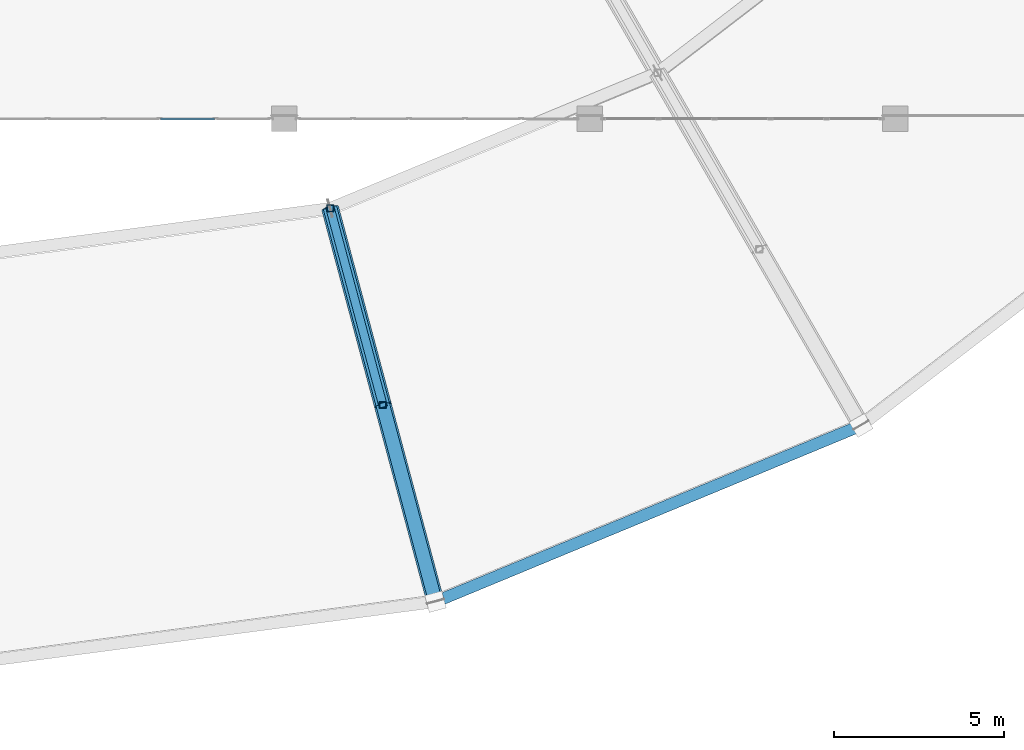
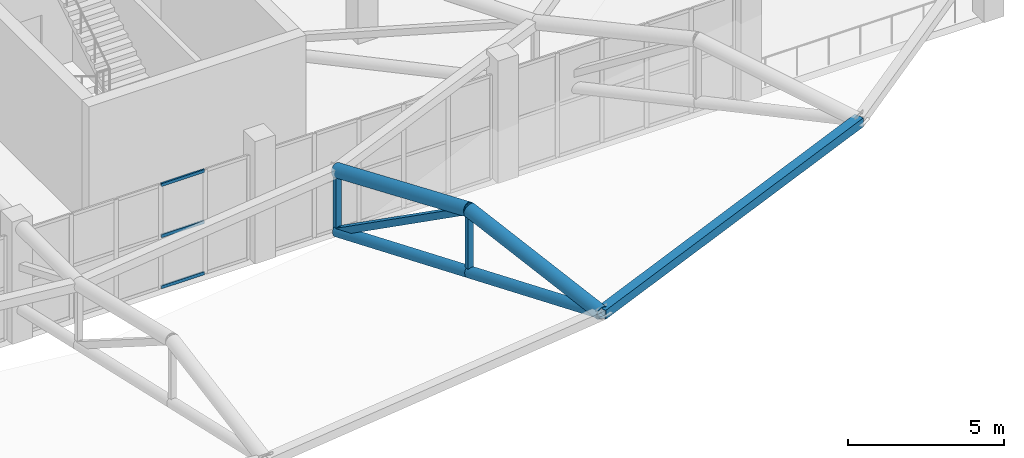
# One storey, part 31 of 167: 11 members, 1 element without a shape of its own.
"""IFC4 building model written with IfcOpenShell, lengths in metres."""

from ifc_helpers import new_model, si_unit, direction, frame, origin, origin_2d, place, context, subcontext, project, spatial, hollow_rectangle, hollow_circle, extrude, material, layer, layer_set, material_profile, profile_set, type_object, element, aggregate, save


model = new_model("IFC4")

# Units and contexts
model_context = context("Model", 3, precision=1e-05, world=origin(), true_north=direction((0.0, 1.0)))
body_context = subcontext(model_context, "Body", "Model", "MODEL_VIEW")
ifc_project = project(units=[si_unit("LENGTHUNIT", "METRE"), si_unit("AREAUNIT", "SQUARE_METRE"), si_unit("VOLUMEUNIT", "CUBIC_METRE"), si_unit("PLANEANGLEUNIT", "RADIAN"), si_unit("MASSUNIT", "GRAM", prefix="KILO")], contexts=[model_context])

# Site, building, storey
site_placement = place(None, origin())
site = spatial("IfcSite", under=ifc_project, at=site_placement, CompositionType="ELEMENT")
building_placement = place(site_placement, origin())
building = spatial("IfcBuilding", under=site, at=building_placement, Name="Dornveld Trade and Exhibition Forum", CompositionType="ELEMENT")
storey_placement = place(building_placement, frame((0.0, 0.0, 16.800048828125)))
storey = spatial("IfcBuildingStorey", under=building, at=storey_placement, Name="L03", CompositionType="ELEMENT", Elevation=16.800048828125)

# Curtain wall, members
ifc_material_1 = material(Name="Dark-bronze anodised aluminium and low-E glass", Category="aluminium")
ifc_layer = layer(ifc_material_1, 0.14501953125)
ifc_layer_set = layer_set([ifc_layer], Name="Dark-bronze anodised aluminium and low-E glass")
curtain_wall_type = type_object("IfcCurtainWallType", Name="CW-SYS-01", PredefinedType="USERDEFINED", material=ifc_layer_set)
curtain_wall_placement = place(storey_placement, origin())
curtain_wall = element("IfcCurtainWall", 1, at=curtain_wall_placement, inside=storey, type_object=curtain_wall_type, Name="L03 unitised curtain wall 55", ObjectType="UNITISED_CURTAIN_WALL", PredefinedType="USERDEFINED")
ifc_material_2 = material(Name="Dark-bronze anodised aluminium", Category="aluminium")
ifc_material_profile_1 = material_profile(ifc_material_2, hollow_rectangle(XDim=0.06005859375, YDim=0.1201171875, WallThickness=0.00390625, at=origin_2d()), Name="RHS 120x60x4")
ifc_profile_set_1 = profile_set([ifc_material_profile_1], Name="Dark-bronze anodised aluminium")
member_type_1 = type_object("IfcMemberType", Name="CW-TRN-120", PredefinedType="USERDEFINED", material=ifc_profile_set_1)
member_1_placement = place(storey_placement, frame((122.355712890625, 45.0, 0.02587890625), z_axis=(1.0, 0.0, 0.0), x_axis=(0.0, 1.0, 0.0)))
member_1 = element("IfcMember", 2, at=member_1_placement, type_object=member_type_1, Name="CW-01 transom 4.1", ObjectType="TRANSOM", PredefinedType="USERDEFINED", context=body_context, shape_type="SweptSolid", body=[
    extrude(hollow_rectangle(XDim=0.06005859375, YDim=0.1201171875, WallThickness=0.00390625, at=origin_2d()), origin(), (0.0, 0.0, 1.0), 1.591796875),
])
member_2_placement = place(storey_placement, frame((122.355712890625, 45.0, 2.02783203125), z_axis=(1.0, 0.0, 0.0), x_axis=(0.0, 1.0, 0.0)))
member_2 = element("IfcMember", 3, at=member_2_placement, type_object=member_type_1, Name="CW-01 transom 4.2", ObjectType="TRANSOM", PredefinedType="USERDEFINED", context=body_context, shape_type="SweptSolid", body=[
    extrude(hollow_rectangle(XDim=0.06005859375, YDim=0.1201171875, WallThickness=0.00390625, at=origin_2d()), origin(), (0.0, 0.0, 1.0), 1.591796875),
])
member_3_placement = place(storey_placement, frame((122.355712890625, 45.0, 4.030029296875), z_axis=(1.0, 0.0, 0.0), x_axis=(0.0, 1.0, 0.0)))
member_3 = element("IfcMember", 4, at=member_3_placement, type_object=member_type_1, Name="CW-01 transom 4.3", ObjectType="TRANSOM", PredefinedType="USERDEFINED", context=body_context, shape_type="SweptSolid", body=[
    extrude(hollow_rectangle(XDim=0.06005859375, YDim=0.1201171875, WallThickness=0.00390625, at=origin_2d()), origin(), (0.0, 0.0, 1.0), 1.591796875),
])
aggregate(curtain_wall, [member_1, member_2, member_3])

# Members
ifc_material_3 = material(Name="Steel S355J2", Category="steel")
ifc_material_profile_2 = material_profile(ifc_material_3, hollow_circle(Radius=0.203125, WallThickness=0.02001953125, at=origin_2d()), Name="CHS 406.4x20")
ifc_profile_set_2 = profile_set([ifc_material_profile_2], Name="Steel S355J2")
member_type_2 = type_object("IfcMemberType", Name="MEM-DISC-BC", PredefinedType="CHORD", material=ifc_profile_set_2)
member_4_placement = place(storey_placement, frame((127.352783203125, 42.363037109375, 2.07568359375), z_axis=(0.252403210265, -0.941958781399, 0.221373606362), x_axis=(0.965924258502, 0.258824896092, 0.0)))
element("IfcMember", 5, at=member_4_placement, inside=storey, type_object=member_type_2, Name="Roof disc radial R20 conical bottom chord 3", PredefinedType="CHORD", context=body_context, shape_type="SweptSolid", body=[
    extrude(hollow_circle(Radius=0.203125, WallThickness=0.02001953125, at=origin_2d()), origin(), (0.0, 0.0, 1.0), 6.15283203125),
])
member_5_placement = place(storey_placement, frame((128.90576171875, 36.5673828125, 3.437744140625), z_axis=(0.25237327368, -0.941955467078, 0.221421834455), x_axis=(0.96593170523, 0.2587971036, 0.0)))
element("IfcMember", 6, at=member_5_placement, inside=storey, type_object=member_type_2, Name="Roof disc radial R20 conical bottom chord 4", PredefinedType="CHORD", context=body_context, shape_type="SweptSolid", body=[
    extrude(hollow_circle(Radius=0.203125, WallThickness=0.02001953125, at=origin_2d()), origin(), (0.0, 0.0, 1.0), 6.152587890625),
])
ifc_material_4 = material(Name="Steel S355J2", Category="steel")
ifc_material_profile_3 = material_profile(ifc_material_4, hollow_rectangle(XDim=0.35009765625, YDim=0.35009765625, WallThickness=0.01611328125, at=origin_2d()), Name="SHS 350x350x16")
ifc_profile_set_3 = profile_set([ifc_material_profile_3], Name="Steel S355J2")
member_type_3 = type_object("IfcMemberType", Name="MEM-DISC-RING", PredefinedType="CHORD", material=ifc_profile_set_3)
member_6_placement = place(storey_placement, frame((130.45849609375, 30.77197265625, 4.800048828125), z_axis=(0.923880490743, 0.382681118981, 0.0), x_axis=(-0.382681118981, 0.923880490743, 0.0)))
element("IfcMember", 7, at=member_6_placement, inside=storey, type_object=member_type_3, Name="Roof disc ring 4 chord 20", PredefinedType="CHORD", context=body_context, shape_type="SweptSolid", body=[
    extrude(hollow_rectangle(XDim=0.35009765625, YDim=0.35009765625, WallThickness=0.01611328125, at=origin_2d()), origin(), (0.0, 0.0, 1.0), 13.57470703125),
])
ifc_material_5 = material(Name="Steel S355J2", Category="steel")
ifc_material_profile_4 = material_profile(ifc_material_5, hollow_rectangle(XDim=0.199951171875, YDim=0.199951171875, WallThickness=0.010009765625, at=origin_2d()), Name="SHS 200x200x10")
ifc_profile_set_4 = profile_set([ifc_material_profile_4], Name="Steel S355J2")
member_type_4 = type_object("IfcMemberType", Name="MEM-DISC-STR", PredefinedType="STRUT", material=ifc_profile_set_4)
member_7_placement = place(storey_placement, frame((127.352783203125, 42.363037109375, 2.07568359375), z_axis=(0.0, 0.0, 1.0), x_axis=(1.0, 0.0, 0.0)))
element("IfcMember", 8, at=member_7_placement, inside=storey, type_object=member_type_4, Name="Roof disc radial R20 strut 3", PredefinedType="STRUT", context=body_context, shape_type="SweptSolid", body=[
    extrude(hollow_rectangle(XDim=0.199951171875, YDim=0.199951171875, WallThickness=0.010009765625, at=origin_2d()), origin(), (0.0, 0.0, 1.0), 2.374267578125),
])
member_8_placement = place(storey_placement, frame((128.90576171875, 36.5673828125, 3.437744140625), z_axis=(0.0, 0.0, 1.0), x_axis=(1.0, 0.0, 0.0)))
element("IfcMember", 9, at=member_8_placement, inside=storey, type_object=member_type_4, Name="Roof disc radial R20 strut 4", PredefinedType="STRUT", context=body_context, shape_type="SweptSolid", body=[
    extrude(hollow_rectangle(XDim=0.199951171875, YDim=0.199951171875, WallThickness=0.010009765625, at=origin_2d()), origin(), (0.0, 0.0, 1.0), 2.437255859375),
])
ifc_material_6 = material(Name="Steel S355J2", Category="steel")
ifc_material_profile_5 = material_profile(ifc_material_6, hollow_circle(Radius=0.25390625, WallThickness=0.02490234375, at=origin_2d()), Name="CHS 508x25")
ifc_profile_set_5 = profile_set([ifc_material_profile_5], Name="Steel S355J2")
member_type_5 = type_object("IfcMemberType", Name="MEM-DISC-TC", PredefinedType="CHORD", material=ifc_profile_set_5)
member_9_placement = place(storey_placement, frame((127.352783203125, 42.363037109375, 4.449951171875), z_axis=(0.251819993215, -0.939782238472, 0.231075821474), x_axis=(0.965924258502, 0.258824896092, 0.0)))
element("IfcMember", 10, at=member_9_placement, inside=storey, type_object=member_type_5, Name="Roof disc radial R20 top chord 3", PredefinedType="CHORD", context=body_context, shape_type="SweptSolid", body=[
    extrude(hollow_circle(Radius=0.25390625, WallThickness=0.02490234375, at=origin_2d()), origin(), (0.0, 0.0, 1.0), 6.1669921875),
])
member_10_placement = place(storey_placement, frame((128.90576171875, 36.5673828125, 5.875), z_axis=(0.254740836281, -0.950792133905, -0.176355959457), x_axis=(0.96593170523, 0.2587971036, 0.0)))
element("IfcMember", 11, at=member_10_placement, inside=storey, type_object=member_type_5, Name="Roof disc radial R20 top chord 4", PredefinedType="CHORD", context=body_context, shape_type="SweptSolid", body=[
    extrude(hollow_circle(Radius=0.25390625, WallThickness=0.02490234375, at=origin_2d()), origin(), (0.0, 0.0, 1.0), 6.095458984375),
])
ifc_material_7 = material(Name="Steel S355J2", Category="steel")
ifc_material_profile_6 = material_profile(ifc_material_7, hollow_rectangle(XDim=0.25, YDim=0.25, WallThickness=0.012451171875, at=origin_2d()), Name="SHS 250x250x12.5")
ifc_profile_set_6 = profile_set([ifc_material_profile_6], Name="Steel S355J2")
member_type_6 = type_object("IfcMemberType", Name="MEM-DISC-WEB", PredefinedType="BRACE", material=ifc_profile_set_6)
member_11_placement = place(storey_placement, frame((127.352783203125, 42.363037109375, 2.07568359375), z_axis=(0.218672644597, -0.816077646612, 0.534976213681), x_axis=(0.965924258502, 0.258824896092, 0.0)))
element("IfcMember", 12, at=member_11_placement, inside=storey, type_object=member_type_6, Name="Roof disc radial R20 web 3", PredefinedType="BRACE", context=body_context, shape_type="SweptSolid", body=[
    extrude(hollow_rectangle(XDim=0.25, YDim=0.25, WallThickness=0.012451171875, at=origin_2d()), origin(), (0.0, 0.0, 1.0), 7.101806640625),
])

save(model, "model.ifc")
